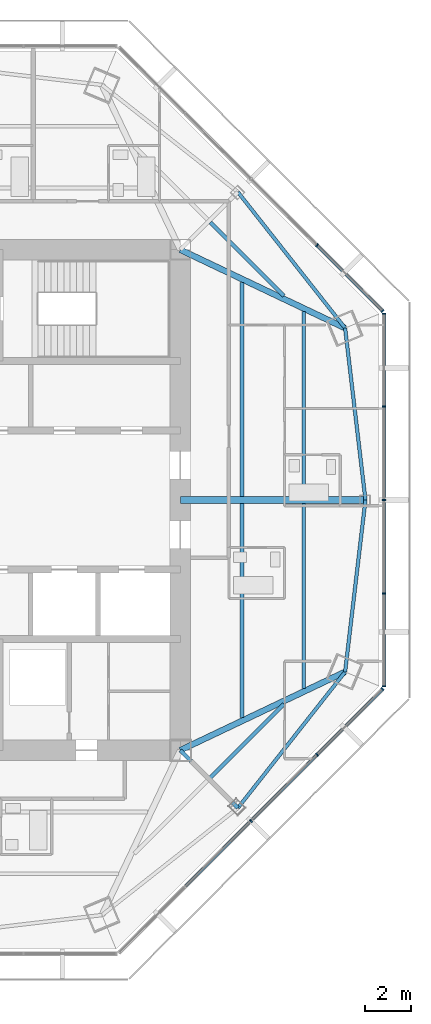
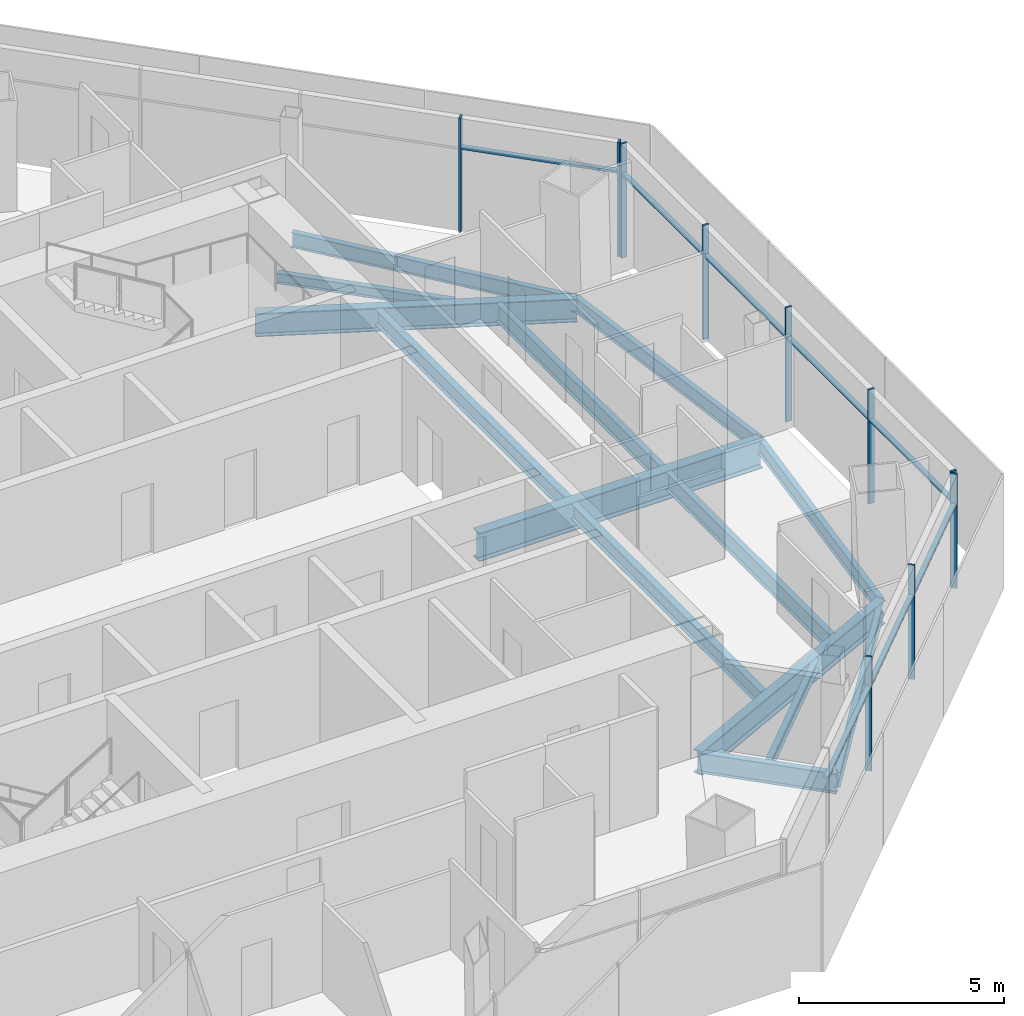
# One storey, part 5 of 15: 18 members, 14 beams, 3 elements without a shape of their own.
"""IFC4 building model written with IfcOpenShell, lengths in metres."""

from ifc_helpers import new_model, si_unit, direction, frame, origin, origin_2d, place, context, subcontext, project, spatial, rectangle, i_section, extrude, source, transform, mapped, material, material_profile, profile_set, type_object, type_shapes, element, aggregate, save


model = new_model("IFC4")

# Units and contexts
model_context = context("Model", 3, precision=1e-05, world=origin(), true_north=direction((0.0, 1.0)))
body_context = subcontext(model_context, "Body", "Model", "MODEL_VIEW")
ifc_project = project(units=[si_unit("LENGTHUNIT", "METRE"), si_unit("AREAUNIT", "SQUARE_METRE"), si_unit("VOLUMEUNIT", "CUBIC_METRE"), si_unit("PLANEANGLEUNIT", "RADIAN"), si_unit("MASSUNIT", "GRAM", prefix="KILO")], contexts=[model_context])

# Site, building, storey
site_placement = place(None, origin())
site = spatial("IfcSite", under=ifc_project, at=site_placement, CompositionType="ELEMENT")
building_placement = place(site_placement, origin())
building = spatial("IfcBuilding", under=site, at=building_placement, Name="Mashrafa Tower", CompositionType="ELEMENT")
storey_placement = place(building_placement, frame((0.0, 0.0, 298.0)))
storey = spatial("IfcBuildingStorey", under=building, at=storey_placement, Name="L73", CompositionType="ELEMENT", Elevation=298.0)

# Beams
ifc_material_1 = material(Name="Steel ASTM A992", Category="steel")
ifc_material_profile_1 = material_profile(ifc_material_1, i_section(OverallWidth=0.164794921875, OverallDepth=0.309814453125, WebThickness=0.005859375, FlangeThickness=0.009765625, FilletRadius=0.007568359375, at=origin_2d()), Name="W12X26")
ifc_profile_set_1 = profile_set([ifc_material_profile_1], Name="Steel ASTM A992")
beam_type_1 = type_object("IfcBeamType", Name="Beam W12X26", PredefinedType="BEAM", material=ifc_profile_set_1)
for number, where, z_axis, x_axis, name in (
    (1, (12.1064453125, 11.98046875, -0.35498046875), (0.707079486616, -0.707134074703, 0.0), (0.707134074703, 0.707079486616, 0.0), "Floor beam L73 019"),
    (2, (15.268798828125, -8.81787109375, -0.35498046875), (-0.707079486616, -0.707134074703, 0.0), (0.707134074703, -0.707079486616, 0.0), "Floor beam L73 022"),
):
    element("IfcBeam", number, at=place(storey_placement, frame(where, z_axis=z_axis, x_axis=x_axis)), inside=storey, type_object=beam_type_1, Name=name, PredefinedType="BEAM", context=body_context, shape_type="SweptSolid", body=[
        extrude(i_section(OverallWidth=0.164794921875, OverallDepth=0.309814453125, WebThickness=0.005859375, FlangeThickness=0.009765625, FilletRadius=0.007568359375, at=origin_2d()), origin(), (0.0, 0.0, 1.0), 4.472412109375),
    ])
ifc_material_2 = material(Name="Steel ASTM A992", Category="steel")
ifc_material_profile_2 = material_profile(ifc_material_2, i_section(OverallWidth=0.15234375, OverallDepth=0.449462890625, WebThickness=0.007568359375, FlangeThickness=0.0107421875, FilletRadius=0.01025390625, at=origin_2d()), Name="W18X35")
ifc_profile_set_2 = profile_set([ifc_material_profile_2], Name="Steel ASTM A992")
beam_type_2 = type_object("IfcBeamType", Name="Beam W18X35", PredefinedType="BEAM", material=ifc_profile_set_2)
for number, where, z_axis, x_axis, name in (
    (3, (13.286865234375, -13.286865234375, -0.4248046875), (0.619071991885, 0.785334240221, 0.0), (-0.785334240221, 0.619071991885, 0.0), "Spandrel beam L73 052"),
    (4, (17.912109375, -7.41943359375, -0.4248046875), (0.117540828527, 0.993068050855, 0.0), (-0.993068050855, 0.117540828527, 0.0), "Spandrel beam L73 054"),
    (5, (17.912109375, 7.41943359375, -0.4248046875), (-0.619071991885, 0.785334240221, 0.0), (-0.785334240221, -0.619071991885, 0.0), "Spandrel beam L73 055"),
    (6, (18.790283203125, 0.0, -0.4248046875), (-0.117540828527, 0.993068050855, 0.0), (-0.993068050855, -0.117540828527, 0.0), "Spandrel beam L73 056"),
):
    element("IfcBeam", number, at=place(storey_placement, frame(where, z_axis=z_axis, x_axis=x_axis)), inside=storey, type_object=beam_type_2, Name=name, PredefinedType="BEAM", context=body_context, shape_type="SweptSolid", body=[
        extrude(i_section(OverallWidth=0.15234375, OverallDepth=0.449462890625, WebThickness=0.007568359375, FlangeThickness=0.0107421875, FilletRadius=0.01025390625, at=origin_2d()), origin(), (0.0, 0.0, 1.0), 7.47119140625),
    ])
ifc_material_3 = material(Name="Steel ASTM A992", Category="steel")
ifc_material_profile_3 = material_profile(ifc_material_3, i_section(OverallWidth=0.191162109375, OverallDepth=0.459716796875, WebThickness=0.010009765625, FlangeThickness=0.01611328125, FilletRadius=0.01025390625, at=origin_2d()), Name="W18X55")
ifc_profile_set_3 = profile_set([ifc_material_profile_3], Name="Steel ASTM A992")
beam_type_3 = type_object("IfcBeamType", Name="Beam W18X55", PredefinedType="BEAM", material=ifc_profile_set_3)
for number, where, z_axis, x_axis, name in (
    (7, (13.46337890625, -0.14599609375, -0.429931640625), (0.0, -1.0, 0.0), (1.0, 0.0, 0.0), "Floor beam L73 020"),
    (8, (13.46337890625, 9.39208984375, -0.429931640625), (0.0, -1.0, 0.0), (1.0, 0.0, 0.0), "Floor beam L73 021"),
):
    element("IfcBeam", number, at=place(storey_placement, frame(where, z_axis=z_axis, x_axis=x_axis)), inside=storey, type_object=beam_type_3, Name=name, PredefinedType="BEAM", context=body_context, shape_type="SweptSolid", body=[
        extrude(i_section(OverallWidth=0.191162109375, OverallDepth=0.459716796875, WebThickness=0.010009765625, FlangeThickness=0.01611328125, FilletRadius=0.01025390625, at=origin_2d()), origin(), (0.0, 0.0, 1.0), 9.24609375),
    ])
ifc_material_4 = material(Name="Steel ASTM A992", Category="steel")
ifc_material_profile_4 = material_profile(ifc_material_4, i_section(OverallWidth=0.165771484375, OverallDepth=0.5283203125, WebThickness=0.009765625, FlangeThickness=0.013671875, FilletRadius=0.012939453125, at=origin_2d()), Name="W21X50")
ifc_profile_set_4 = profile_set([ifc_material_profile_4], Name="Steel ASTM A992")
beam_type_4 = type_object("IfcBeamType", Name="Beam W21X50", PredefinedType="BEAM", material=ifc_profile_set_4)
for number, where, z_axis, x_axis, name in (
    (9, (16.126953125, -0.14599609375, -0.464111328125), (0.0, -1.0, 0.0), (1.0, 0.0, 0.0), "Floor beam L73 023"),
    (10, (16.126953125, 8.126220703125, -0.464111328125), (0.0, -1.0, 0.0), (1.0, 0.0, 0.0), "Floor beam L73 024"),
):
    element("IfcBeam", number, at=place(storey_placement, frame(where, z_axis=z_axis, x_axis=x_axis)), inside=storey, type_object=beam_type_4, Name=name, PredefinedType="BEAM", context=body_context, shape_type="SweptSolid", body=[
        extrude(i_section(OverallWidth=0.165771484375, OverallDepth=0.5283203125, WebThickness=0.009765625, FlangeThickness=0.013671875, FilletRadius=0.012939453125, at=origin_2d()), origin(), (0.0, 0.0, 1.0), 7.980224609375),
    ])
ifc_material_5 = material(Name="Steel ASTM A992", Category="steel")
ifc_material_profile_5 = material_profile(ifc_material_5, i_section(OverallWidth=0.177978515625, OverallDepth=0.599365234375, WebThickness=0.010009765625, FlangeThickness=0.012939453125, FilletRadius=0.012939453125, at=origin_2d()), Name="W24X55")
ifc_profile_set_5 = profile_set([ifc_material_profile_5], Name="Steel ASTM A992")
beam_type_5 = type_object("IfcBeamType", Name="Beam W24X55", PredefinedType="BEAM", material=ifc_profile_set_5)
beam_1_placement = place(storey_placement, frame((10.800048828125, -10.800048828125, -0.499755859375), z_axis=(0.707106781187, -0.707106781187, 0.0), x_axis=(0.707106781187, 0.707106781187, 0.0)))
element("IfcBeam", 11, at=beam_1_placement, inside=storey, type_object=beam_type_5, Name="Radial girder L73 035", PredefinedType="BEAM", context=body_context, shape_type="SweptSolid", body=[
    extrude(i_section(OverallWidth=0.177978515625, OverallDepth=0.599365234375, WebThickness=0.010009765625, FlangeThickness=0.012939453125, FilletRadius=0.012939453125, at=origin_2d()), origin(), (0.0, 0.0, 1.0), 3.516845703125),
])
ifc_material_6 = material(Name="Steel ASTM A992", Category="steel")
ifc_material_profile_6 = material_profile(ifc_material_6, i_section(OverallWidth=0.256591796875, OverallDepth=0.693359375, WebThickness=0.014404296875, FlangeThickness=0.023681640625, FilletRadius=0.01513671875, at=origin_2d()), Name="W27X114")
ifc_profile_set_6 = profile_set([ifc_material_profile_6], Name="Steel ASTM A992")
beam_type_6 = type_object("IfcBeamType", Name="Beam W27X114", PredefinedType="BEAM", material=ifc_profile_set_6)
for number, where, z_axis, x_axis, name in (
    (12, (10.800048828125, -10.800048828125, -0.546630859375), (0.903160018061, 0.429304066805, 0.0), (-0.429304066805, 0.903160018061, 0.0), "Radial girder L73 036"),
    (13, (10.800048828125, 10.800048828125, -0.546630859375), (0.903160018061, -0.429304066805, 0.0), (0.429304066805, 0.903160018061, 0.0), "Radial girder L73 040"),
):
    element("IfcBeam", number, at=place(storey_placement, frame(where, z_axis=z_axis, x_axis=x_axis)), inside=storey, type_object=beam_type_6, Name=name, PredefinedType="BEAM", context=body_context, shape_type="SweptSolid", body=[
        extrude(i_section(OverallWidth=0.256591796875, OverallDepth=0.693359375, WebThickness=0.014404296875, FlangeThickness=0.023681640625, FilletRadius=0.01513671875, at=origin_2d()), origin(), (0.0, 0.0, 1.0), 7.874755859375),
    ])
ifc_material_7 = material(Name="Steel ASTM A992", Category="steel")
ifc_material_profile_7 = material_profile(ifc_material_7, i_section(OverallWidth=0.2919921875, OverallDepth=0.8408203125, WebThickness=0.0146484375, FlangeThickness=0.021728515625, FilletRadius=0.017333984375, at=origin_2d()), Name="W33X130")
ifc_profile_set_7 = profile_set([ifc_material_profile_7], Name="Steel ASTM A992")
beam_type_7 = type_object("IfcBeamType", Name="Beam W33X130", PredefinedType="BEAM", material=ifc_profile_set_7)
beam_2_placement = place(storey_placement, frame((10.800048828125, 0.0, -0.620361328125), z_axis=(1.0, 0.0, 0.0), x_axis=(0.0, 1.0, 0.0)))
element("IfcBeam", 14, at=beam_2_placement, inside=storey, type_object=beam_type_7, Name="Radial girder L73 037", PredefinedType="BEAM", context=body_context, shape_type="SweptSolid", body=[
    extrude(i_section(OverallWidth=0.2919921875, OverallDepth=0.8408203125, WebThickness=0.0146484375, FlangeThickness=0.021728515625, FilletRadius=0.017333984375, at=origin_2d()), origin(), (0.0, 0.0, 1.0), 7.990234375),
])

# Curtain wall, members
ifc_material_8 = material(Name="Unitised aluminium curtain wall", Category="aluminium")
curtain_wall_type = type_object("IfcCurtainWallType", Name="Apartment curtain wall, zone 4 CW-D 160 deep", PredefinedType="NOTDEFINED", material=ifc_material_8)
curtain_wall_1_placement = place(storey_placement, origin())
curtain_wall_1 = element("IfcCurtainWall", 15, at=curtain_wall_1_placement, inside=storey, type_object=curtain_wall_type, Name="Apartment curtain wall, zone 4 L73 east", PredefinedType="NOTDEFINED")
ifc_material_9 = material(Name="Extruded aluminium mullion", Category="aluminium")
ifc_material_profile_8 = material_profile(ifc_material_9, rectangle(XDim=0.159912109375, YDim=0.06005859375, at=origin_2d()), Name="Mullion 60x160")
ifc_profile_set_8 = profile_set([ifc_material_profile_8], Name="Extruded aluminium mullion")
member_type_1 = type_object("IfcMemberType", Name="Mullion CW-D 60 x 160", PredefinedType="MULLION", material=ifc_profile_set_8)
shared_shape_1 = source(origin(), body_context, "Body", "SweptSolid", [
    extrude(rectangle(XDim=0.159912109375, YDim=0.06005859375, at=origin_2d()), origin(), (0.0, 0.0, 1.0), 3.39990234375),
])
type_shapes(member_type_1, [shared_shape_1])
member_1_placement = place(storey_placement, frame((19.584716796875, -8.0390625, 0.0), z_axis=(0.0, 0.0, 1.0), x_axis=(-1.0, 0.0, 0.0)))
member_1 = element("IfcMember", 16, at=member_1_placement, type_object=member_type_1, Name="CW-D mullion 1", PredefinedType="MULLION", context=body_context, shape_type="MappedRepresentation", body=[
    mapped(shared_shape_1, transform((0.0, 0.0, 0.0))),
])
member_2_placement = place(storey_placement, frame((19.584716796875, -4.03466796875, 0.0), z_axis=(0.0, 0.0, 1.0), x_axis=(-1.0, 0.0, 0.0)))
member_2 = element("IfcMember", 17, at=member_2_placement, type_object=member_type_1, Name="CW-D mullion 2", PredefinedType="MULLION", context=body_context, shape_type="MappedRepresentation", body=[
    mapped(shared_shape_1, transform((0.0, 0.0, 0.0))),
])
member_3_placement = place(storey_placement, frame((19.584716796875, 0.0, 0.0), z_axis=(0.0, 0.0, 1.0), x_axis=(-1.0, 0.0, 0.0)))
member_3 = element("IfcMember", 18, at=member_3_placement, type_object=member_type_1, Name="CW-D mullion 3", PredefinedType="MULLION", context=body_context, shape_type="MappedRepresentation", body=[
    mapped(shared_shape_1, transform((0.0, 0.0, 0.0))),
])
member_4_placement = place(storey_placement, frame((19.584716796875, 4.03466796875, 0.0), z_axis=(0.0, 0.0, 1.0), x_axis=(-1.0, 0.0, 0.0)))
member_4 = element("IfcMember", 19, at=member_4_placement, type_object=member_type_1, Name="CW-D mullion 4", PredefinedType="MULLION", context=body_context, shape_type="MappedRepresentation", body=[
    mapped(shared_shape_1, transform((0.0, 0.0, 0.0))),
])
member_5_placement = place(storey_placement, frame((19.584716796875, 8.0390625, 0.0), z_axis=(0.0, 0.0, 1.0), x_axis=(-1.0, 0.0, 0.0)))
member_5 = element("IfcMember", 20, at=member_5_placement, type_object=member_type_1, Name="CW-D mullion 5", PredefinedType="MULLION", context=body_context, shape_type="MappedRepresentation", body=[
    mapped(shared_shape_1, transform((0.0, 0.0, 0.0))),
])

curtain_wall_2_placement = place(storey_placement, origin())
curtain_wall_2 = element("IfcCurtainWall", 21, at=curtain_wall_2_placement, inside=storey, type_object=curtain_wall_type, Name="Apartment curtain wall, zone 4 L73 north-east", PredefinedType="NOTDEFINED")
member_6_placement = place(storey_placement, frame((19.532958984375, 8.1640625, 0.0), z_axis=(0.0, 0.0, 1.0), x_axis=(-0.707106781187, -0.707106781187, 0.0)))
member_6 = element("IfcMember", 22, at=member_6_placement, type_object=member_type_1, Name="CW-D mullion 1", PredefinedType="MULLION", context=body_context, shape_type="MappedRepresentation", body=[
    mapped(shared_shape_1, transform((0.0, 0.0, 0.0))),
])
member_7_placement = place(storey_placement, frame((16.701416015625, 10.99560546875, 0.0), z_axis=(0.0, 0.0, 1.0), x_axis=(-0.707106781187, -0.707106781187, 0.0)))
member_7 = element("IfcMember", 23, at=member_7_placement, type_object=member_type_1, Name="CW-D mullion 2", PredefinedType="MULLION", context=body_context, shape_type="MappedRepresentation", body=[
    mapped(shared_shape_1, transform((0.0, 0.0, 0.0))),
])

curtain_wall_3_placement = place(storey_placement, origin())
curtain_wall_3 = element("IfcCurtainWall", 24, at=curtain_wall_3_placement, inside=storey, type_object=curtain_wall_type, Name="Apartment curtain wall, zone 4 L73 south-east", PredefinedType="NOTDEFINED")
member_8_placement = place(storey_placement, frame((13.848388671875, -13.848388671875, 0.0), z_axis=(0.0, 0.0, 1.0), x_axis=(-0.707106781187, 0.707106781187, 0.0)))
member_8 = element("IfcMember", 25, at=member_8_placement, type_object=member_type_1, Name="CW-D mullion 3", PredefinedType="MULLION", context=body_context, shape_type="MappedRepresentation", body=[
    mapped(shared_shape_1, transform((0.0, 0.0, 0.0))),
])
member_9_placement = place(storey_placement, frame((16.701416015625, -10.99560546875, 0.0), z_axis=(0.0, 0.0, 1.0), x_axis=(-0.707106781187, 0.707106781187, 0.0)))
member_9 = element("IfcMember", 26, at=member_9_placement, type_object=member_type_1, Name="CW-D mullion 4", PredefinedType="MULLION", context=body_context, shape_type="MappedRepresentation", body=[
    mapped(shared_shape_1, transform((0.0, 0.0, 0.0))),
])
member_10_placement = place(storey_placement, frame((19.532958984375, -8.1640625, 0.0), z_axis=(0.0, 0.0, 1.0), x_axis=(-0.707106781187, 0.707106781187, 0.0)))
member_10 = element("IfcMember", 27, at=member_10_placement, type_object=member_type_1, Name="CW-D mullion 5", PredefinedType="MULLION", context=body_context, shape_type="MappedRepresentation", body=[
    mapped(shared_shape_1, transform((0.0, 0.0, 0.0))),
])

# Member
ifc_material_10 = material(Name="Extruded aluminium transom", Category="aluminium")
ifc_material_profile_9 = material_profile(ifc_material_10, rectangle(XDim=0.1279296875, YDim=0.074951171875, at=origin_2d()), Name="Transom 75x128")
ifc_profile_set_9 = profile_set([ifc_material_profile_9], Name="Extruded aluminium transom")
member_type_2 = type_object("IfcMemberType", Name="Transom CW-D 75 x 128", PredefinedType="MULLION", material=ifc_profile_set_9)
shared_shape_2 = source(origin(), body_context, "Body", "SweptSolid", [
    extrude(rectangle(XDim=0.1279296875, YDim=0.074951171875, at=origin_2d()), origin(), (0.0, 0.0, 1.0), 3.944580078125),
])
member_11_placement = place(storey_placement, frame((19.584716796875, -8.009033203125, 2.5), z_axis=(0.0, 1.0, 0.0), x_axis=(-1.0, 0.0, 0.0)))
member_11 = element("IfcMember", 28, at=member_11_placement, type_object=member_type_2, Name="CW-D transom 1", PredefinedType="MULLION", context=body_context, shape_type="MappedRepresentation", body=[
    mapped(shared_shape_2, transform((0.0, 0.0, 0.0))),
])

member_12_placement = place(storey_placement, frame((19.584716796875, 4.064453125, 2.5), z_axis=(0.0, 1.0, 0.0), x_axis=(-1.0, 0.0, 0.0)))
member_12 = element("IfcMember", 29, at=member_12_placement, type_object=member_type_2, Name="CW-D transom 4", PredefinedType="MULLION", context=body_context, shape_type="MappedRepresentation", body=[
    mapped(shared_shape_2, transform((0.0, 0.0, 0.0))),
])

shared_shape_3 = source(origin(), body_context, "Body", "SweptSolid", [
    extrude(rectangle(XDim=0.1279296875, YDim=0.074951171875, at=origin_2d()), origin(), (0.0, 0.0, 1.0), 3.974609375),
])
member_13_placement = place(storey_placement, frame((19.584716796875, -4.004638671875, 2.5), z_axis=(0.0, 1.0, 0.0), x_axis=(-1.0, 0.0, 0.0)))
member_13 = element("IfcMember", 30, at=member_13_placement, type_object=member_type_2, Name="CW-D transom 2", PredefinedType="MULLION", context=body_context, shape_type="MappedRepresentation", body=[
    mapped(shared_shape_3, transform((0.0, 0.0, 0.0))),
])

member_14_placement = place(storey_placement, frame((19.584716796875, 0.030029296875, 2.5), z_axis=(0.0, 1.0, 0.0), x_axis=(-1.0, 0.0, 0.0)))
member_14 = element("IfcMember", 31, at=member_14_placement, type_object=member_type_2, Name="CW-D transom 3", PredefinedType="MULLION", context=body_context, shape_type="MappedRepresentation", body=[
    mapped(shared_shape_3, transform((0.0, 0.0, 0.0))),
])

aggregate(curtain_wall_1, [member_1, member_2, member_3, member_4, member_5, member_11, member_13, member_14, member_12])

member_15_placement = place(storey_placement, frame((11.016845703125, -16.68017578125, 2.5), z_axis=(0.707106781187, 0.707106781187, 0.0), x_axis=(-0.707106781187, 0.707106781187, 0.0)))
member_15 = element("IfcMember", 32, at=member_15_placement, type_object=member_type_2, Name="CW-D transom 2", PredefinedType="MULLION", context=body_context, shape_type="MappedRepresentation", body=[
    mapped(shared_shape_3, transform((0.0, 0.0, 0.0))),
])

member_16_placement = place(storey_placement, frame((13.86962890625, -13.827392578125, 2.5), z_axis=(0.707106781187, 0.707106781187, 0.0), x_axis=(-0.707106781187, 0.707106781187, 0.0)))
member_16 = element("IfcMember", 33, at=member_16_placement, type_object=member_type_2, Name="CW-D transom 3", PredefinedType="MULLION", context=body_context, shape_type="MappedRepresentation", body=[
    mapped(shared_shape_3, transform((0.0, 0.0, 0.0))),
])

shared_shape_4 = source(origin(), body_context, "Body", "SweptSolid", [
    extrude(rectangle(XDim=0.1279296875, YDim=0.074951171875, at=origin_2d()), origin(), (0.0, 0.0, 1.0), 3.9443359375),
])
type_shapes(member_type_2, [shared_shape_2, shared_shape_3, shared_shape_4])
member_17_placement = place(storey_placement, frame((19.51171875, 8.185302734375, 2.5), z_axis=(-0.707106781187, 0.707106781187, 0.0), x_axis=(-0.707106781187, -0.707106781187, 0.0)))
member_17 = element("IfcMember", 34, at=member_17_placement, type_object=member_type_2, Name="CW-D transom 1", PredefinedType="MULLION", context=body_context, shape_type="MappedRepresentation", body=[
    mapped(shared_shape_4, transform((0.0, 0.0, 0.0))),
])

aggregate(curtain_wall_2, [member_6, member_7, member_17])

member_18_placement = place(storey_placement, frame((16.72265625, -10.974365234375, 2.5), z_axis=(0.707106781187, 0.707106781187, 0.0), x_axis=(-0.707106781187, 0.707106781187, 0.0)))
member_18 = element("IfcMember", 35, at=member_18_placement, type_object=member_type_2, Name="CW-D transom 4", PredefinedType="MULLION", context=body_context, shape_type="MappedRepresentation", body=[
    mapped(shared_shape_4, transform((0.0, 0.0, 0.0))),
])

aggregate(curtain_wall_3, [member_8, member_9, member_10, member_15, member_16, member_18])

save(model, "model.ifc")
